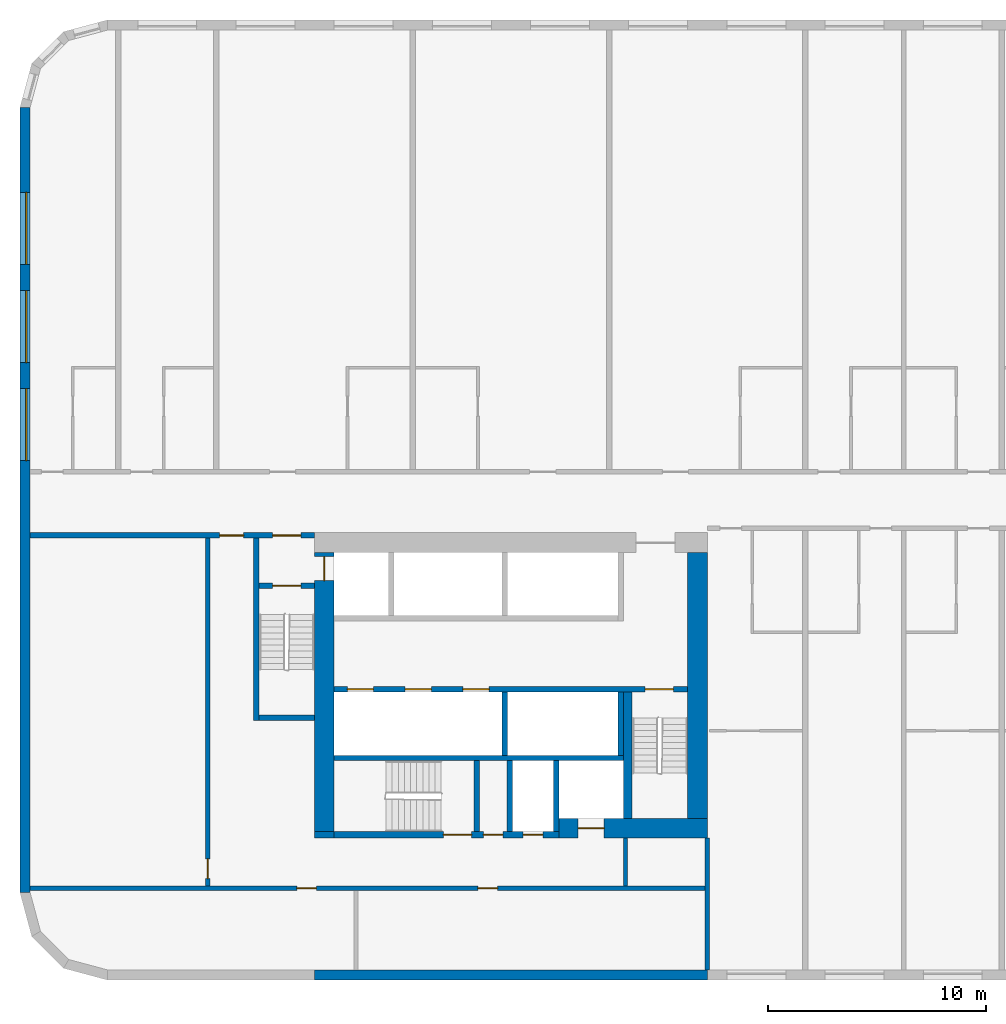
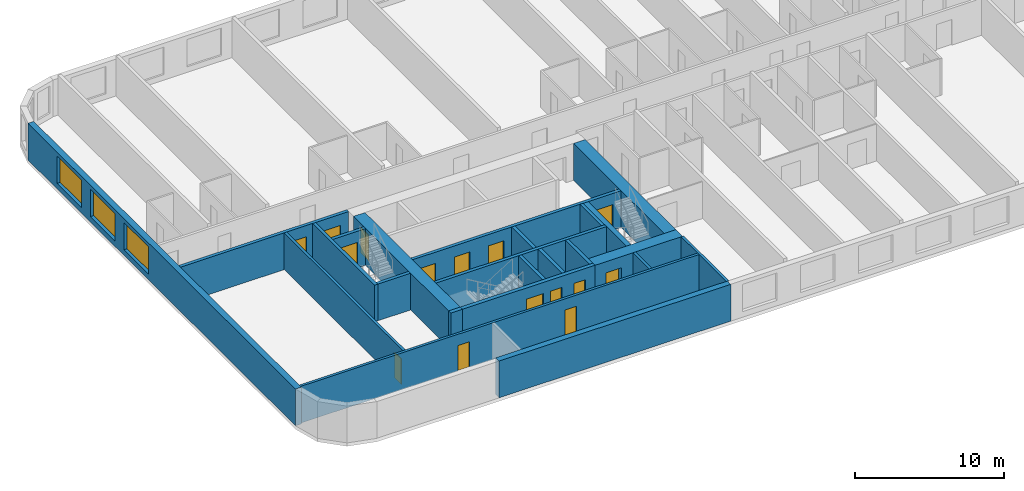
# One storey, part 2 of 12: 23 walls, 15 doors, 3 windows, 18 openings.
"""IFC4 building model written with IfcOpenShell, lengths in metres."""

import ifcopenshell
import ifcopenshell.guid

model = None  # the IFC model being written
_history = None  # IfcOwnerHistory: only IFC2X3 demands one
_inside = {}  # id of a spatial element -> (the spatial element, [elements in it])
_under = {}  # id of a project, library or spatial element -> (it, [spatial elements below it])
_declared = {}  # id of a project -> (the project, [libraries it declares])
_typed = {}  # id of a type object -> (the type object, [elements of that type])
_made_of = {}  # id of a material, layer set ... -> (it, [elements and type objects made of it])


def new_model(schema):
    """Start an empty IFC model of exactly this schema.

    Asked for "IFC4X3", IfcOpenShell would pick the latest addendum, in which some entities
    have other attributes; the version numbers below select the first issue.
    IFC2X3 requires an IfcOwnerHistory on every rooted entity: one is made here for all.
    """
    global model, _history
    if schema == "IFC4X3":
        model = ifcopenshell.file(schema_version=(4, 3, 0, 0))
    else:
        model = ifcopenshell.file(schema=schema)
    _inside.clear()
    _under.clear()
    _declared.clear()
    _typed.clear()
    _made_of.clear()
    _history = None
    if model.schema == "IFC2X3":
        org = make("IfcOrganization", Name="unknown")
        user = make(
            "IfcPersonAndOrganization",
            ThePerson=make("IfcPerson", FamilyName="unknown"),
            TheOrganization=org,
        )
        app = make(
            "IfcApplication",
            ApplicationDeveloper=org,
            Version="unknown",
            ApplicationFullName="unknown",
            ApplicationIdentifier="unknown",
        )
        _history = make(
            "IfcOwnerHistory",
            OwningUser=user,
            OwningApplication=app,
            ChangeAction="ADDED",
            CreationDate=0,
        )
    return model


def make(cls, **values):
    """One entity of the class cls with the attributes given. An attribute that is None is left unset."""
    return model.create_entity(
        cls, **{name: value for name, value in values.items() if value is not None}
    )


def rooted(cls, **values):
    """An entity with a GlobalId (a new one), such as an element, a storey or a relation."""
    return make(cls, GlobalId=ifcopenshell.guid.new(), OwnerHistory=_history, **values)


def si_unit(unit_type, name, prefix=None):
    """IfcSIUnit, for example si_unit("LENGTHUNIT", "METRE", prefix="MILLI")."""
    return make("IfcSIUnit", UnitType=unit_type, Prefix=prefix, Name=name)


def assignment(units):
    """IfcUnitAssignment: the units of a project."""
    return None if units is None else make("IfcUnitAssignment", Units=units)


def point(xyz):
    """IfcCartesianPoint."""
    return None if xyz is None else make("IfcCartesianPoint", Coordinates=xyz)


def direction(xyz):
    """IfcDirection."""
    return None if xyz is None else make("IfcDirection", DirectionRatios=xyz)


def frame(location, z_axis=None, x_axis=None):
    """IfcAxis2Placement3D, a coordinate frame: its origin and axes. An axis left out is left unset."""
    return make(
        "IfcAxis2Placement3D",
        Location=point(location),
        Axis=direction(z_axis),
        RefDirection=direction(x_axis),
    )


def frame_2d(location, x_axis=None):
    """IfcAxis2Placement2D, a coordinate frame in the plane: its origin and x axis."""
    return make(
        "IfcAxis2Placement2D", Location=point(location), RefDirection=direction(x_axis)
    )


def origin():
    """The frame at (0, 0, 0) with its axes left unset."""
    return frame((0.0, 0.0, 0.0))


def place(relative_to, where):
    """IfcLocalPlacement: puts the frame where relative to a parent placement (None: the world)."""
    return make(
        "IfcLocalPlacement", PlacementRelTo=relative_to, RelativePlacement=where
    )


def context(
    kind, dimensions, precision=None, world=None, true_north=None, identifier=None
):
    """IfcGeometricRepresentationContext, for example the 3D "Model" context."""
    return make(
        "IfcGeometricRepresentationContext",
        ContextIdentifier=identifier,
        ContextType=kind,
        CoordinateSpaceDimension=dimensions,
        Precision=precision,
        WorldCoordinateSystem=world,
        TrueNorth=true_north,
    )


def subcontext(parent, identifier, kind, view, scale=None):
    """IfcGeometricRepresentationSubContext, for example "Body" below "Model"."""
    return make(
        "IfcGeometricRepresentationSubContext",
        ContextIdentifier=identifier,
        ContextType=kind,
        ParentContext=parent,
        TargetScale=scale,
        TargetView=view,
    )


def project(units=None, contexts=None):
    """IfcProject with its units and contexts."""
    return rooted(
        "IfcProject",
        Name="project",
        RepresentationContexts=contexts,
        UnitsInContext=assignment(units),
    )


def spatial(cls, under=None, at=None, **own):
    """A site, building, storey or space (cls), placed at a placement, below another one or the project."""
    s = rooted(cls, ObjectPlacement=at, **own)
    if under is not None:
        _under.setdefault(under.id(), (under, []))[1].append(s)
    return s


def profile(cls, at=None, kind="AREA", **sizes):
    """A parametric profile (cls). Its sizes go by their IFC names, for example OverallWidth=200.0."""
    return make(cls, ProfileType=kind, Position=at, **sizes)


def rectangle(**sizes):
    """IfcRectangleProfileDef."""
    return profile("IfcRectangleProfileDef", **sizes)


def extrude(swept, where, along, depth):
    """IfcExtrudedAreaSolid: the profile swept, set in the frame where, extruded along a direction by depth."""
    return make(
        "IfcExtrudedAreaSolid",
        SweptArea=swept,
        Position=where,
        ExtrudedDirection=direction(along),
        Depth=depth,
    )


def shape(context_of_items, identifier, shape_type, items):
    """IfcShapeRepresentation: the items that make up one representation, for example the "Body"."""
    return make(
        "IfcShapeRepresentation",
        ContextOfItems=context_of_items,
        RepresentationIdentifier=identifier,
        RepresentationType=shape_type,
        Items=items,
    )


def material(Name=None, Category=None):
    """IfcMaterial."""
    return make("IfcMaterial", Name=Name, Category=Category)


def layer(
    of_material, thickness, ventilated=None, Name=None, Category=None, Priority=None
):
    """IfcMaterialLayer: one layer of a wall or slab, of a material (None: an air gap)."""
    return make(
        "IfcMaterialLayer",
        Material=of_material,
        LayerThickness=thickness,
        IsVentilated=ventilated,
        Name=Name,
        Category=Category,
        Priority=Priority,
    )


def layer_set(layers, Name=None):
    """IfcMaterialLayerSet."""
    return make("IfcMaterialLayerSet", MaterialLayers=layers, LayerSetName=Name)


def made_of(thing, what):
    """Note that an element or type object is made of a material, layer set ...; save() writes the relation."""
    if what is not None:
        _made_of.setdefault(what.id(), (what, []))[1].append(thing)
    return thing


def type_object(cls, material=None, **own):
    """A type object (cls), such as IfcWallType, which elements share."""
    return made_of(rooted(cls, **own), material)


def element(
    cls,
    number,
    at=None,
    inside=None,
    cuts=None,
    type_object=None,
    material=None,
    context=None,
    identifier="Body",
    shape_type=None,
    held_by="IfcProductDefinitionShape",
    body=None,
    shapes=None,
    **own,
):
    """One element of the class cls, such as IfcWall. Its Tag is "e" and its number.

    at: its placement. inside: the storey or other place that contains it. cuts: it is an
    opening in that element (IfcRelVoidsElement). A single representation is given by context,
    identifier, shape_type and body (its items); several are given by shapes. held_by: the class
    of the entity that holds the representations. save() writes the other relations.
    """
    e = rooted(cls, Tag="e%d" % number, ObjectPlacement=at, **own)
    if body is not None:
        shapes = [shape(context, identifier, shape_type, body)]
    if shapes is not None:
        e.Representation = make(held_by, Representations=shapes)
    if inside is not None:
        _inside.setdefault(inside.id(), (inside, []))[1].append(e)
    if cuts is not None:
        rooted(
            "IfcRelVoidsElement", RelatingBuildingElement=cuts, RelatedOpeningElement=e
        )
    if type_object is not None:
        _typed.setdefault(type_object.id(), (type_object, []))[1].append(e)
    return made_of(e, material)


def fill(opening, filler):
    """IfcRelFillsElement: the door or window that sits in an opening."""
    return rooted(
        "IfcRelFillsElement",
        RelatingOpeningElement=opening,
        RelatedBuildingElement=filler,
    )


def aggregate(whole, parts):
    """IfcRelAggregates: a whole, such as a stair, and the parts it consists of."""
    return rooted("IfcRelAggregates", RelatingObject=whole, RelatedObjects=parts)


def save(model, path):
    """Write the relations noted so far, then the file.

    IfcRelAggregates (storeys below a building ...), IfcRelContainedInSpatialStructure (elements
    in a storey), IfcRelDefinesByType, IfcRelAssociatesMaterial and IfcRelDeclares: one each for
    every whole, place, type object, material and project.
    """
    for whole, parts in _under.values():
        aggregate(whole, parts)
    for where, things in _inside.values():
        rooted(
            "IfcRelContainedInSpatialStructure",
            RelatedElements=things,
            RelatingStructure=where,
        )
    for kind, things in _typed.values():
        rooted("IfcRelDefinesByType", RelatedObjects=things, RelatingType=kind)
    for what, things in _made_of.values():
        rooted("IfcRelAssociatesMaterial", RelatedObjects=things, RelatingMaterial=what)
    for by, libraries in _declared.values():
        rooted("IfcRelDeclares", RelatingContext=by, RelatedDefinitions=libraries)
    model.write(path)


model = new_model("IFC4")

# Units and contexts
model_context = context("Model", 3, precision=1e-05, world=origin(), true_north=direction((0.0, 1.0)))
body_context = subcontext(model_context, "Body", "Model", "MODEL_VIEW")
ifc_project = project(units=[si_unit("LENGTHUNIT", "METRE"), si_unit("AREAUNIT", "SQUARE_METRE"), si_unit("VOLUMEUNIT", "CUBIC_METRE"), si_unit("PLANEANGLEUNIT", "RADIAN"), si_unit("MASSUNIT", "GRAM", prefix="KILO")], contexts=[model_context])

# Site, building, storey
site_placement = place(None, origin())
site = spatial("IfcSite", under=ifc_project, at=site_placement, CompositionType="ELEMENT")
building_placement = place(site_placement, origin())
building = spatial("IfcBuilding", under=site, at=building_placement, Name="Kajstack Hotel Tower", CompositionType="ELEMENT")
storey_placement = place(building_placement, frame((0.0, 0.0, 93.0)))
storey = spatial("IfcBuildingStorey", under=building, at=storey_placement, Name="L19", CompositionType="ELEMENT", Elevation=93.0)

# Wall, opening, door
ifc_material_1 = material(Name="Concrete C60/75", Category="concrete")
ifc_layer_1 = layer(ifc_material_1, 0.89990234375)
ifc_layer_set_1 = layer_set([ifc_layer_1], Name="Core wall 900")
wall_type_1 = type_object("IfcWallType", Name="Core wall 900", PredefinedType="SHEAR", material=ifc_layer_set_1)
wall_1_placement = place(storey_placement, frame((-20.300048828125, -15.050048828125, 0.0), z_axis=(0.0, 0.0, 1.0), x_axis=(1.0, 0.0, 0.0)))
wall_1 = element("IfcWall", 1, at=wall_1_placement, inside=storey, type_object=wall_type_1, Name="Core wall W RS", PredefinedType="SHEAR", context=body_context, shape_type="SweptSolid", body=[
    extrude(rectangle(XDim=6.800048828125, YDim=0.89990234375, at=frame_2d((3.39990234375, 0.0))), origin(), (0.0, 0.0, 1.0), 3.02001953125),
])
opening_1_placement = place(wall_1_placement, frame((0.875, 0.0, 0.0)))
opening_1 = element("IfcOpeningElement", 2, at=opening_1_placement, cuts=wall_1, Name="Opening LD-SV1", PredefinedType="OPENING", context=body_context, shape_type="SweptSolid", body=[
    extrude(rectangle(XDim=1.199951171875, YDim=2.10009765625, at=frame_2d((0.60009765625, 1.050048828125))), frame((0.0, 0.4599609375, 0.0), z_axis=(0.0, -1.0, 0.0), x_axis=(1.0, 0.0, 0.0)), (0.0, 0.0, 1.0), 0.919921875),
])
ifc_material_2 = material(Name="Stainless steel", Category="steel")
door_type_1 = type_object("IfcDoorType", Name="Lift landing door 1200", OperationType="SLIDING_TO_LEFT", PredefinedType="DOOR", material=ifc_material_2)
door_1_placement = place(opening_1_placement, origin())
door_1 = element("IfcDoor", 3, at=door_1_placement, inside=storey, type_object=door_type_1, Name="Landing door SV1", OperationType="SLIDING_TO_LEFT", OverallHeight=2.10009765625, OverallWidth=1.199951171875, PredefinedType="DOOR", context=body_context, shape_type="SweptSolid", body=[
    extrude(rectangle(XDim=1.199951171875, YDim=2.10009765625, at=frame_2d((0.60009765625, 1.050048828125))), frame((0.0, 0.02490234375, 0.0), z_axis=(0.0, -1.0, 0.0), x_axis=(1.0, 0.0, 0.0)), (0.0, 0.0, 1.0), 0.050048828125),
])
fill(opening_1, door_1)

# Wall
wall_2_placement = place(storey_placement, frame((-31.5, -15.35009765625, 0.0), z_axis=(0.0, 0.0, 1.0), x_axis=(1.0, 0.0, 0.0)))
element("IfcWall", 4, at=wall_2_placement, inside=storey, type_object=wall_type_1, Name="Core wall W RSW", PredefinedType="SHEAR", context=body_context, shape_type="SweptSolid", body=[
    extrude(rectangle(XDim=0.89990234375, YDim=0.300048828125, at=frame_2d((0.449951171875, 0.0))), origin(), (0.0, 0.0, 1.0), 3.02001953125),
])

# Wall, opening, door
wall_3_placement = place(storey_placement, frame((-31.050048828125, -15.199951171875, 0.0), z_axis=(0.0, 0.0, 1.0), x_axis=(0.0, 1.0, 0.0)))
wall_3 = element("IfcWall", 5, at=wall_3_placement, inside=storey, type_object=wall_type_1, Name="Core wall W RW", PredefinedType="SHEAR", context=body_context, shape_type="SweptSolid", body=[
    extrude(rectangle(XDim=12.800048828125, YDim=0.89990234375, at=frame_2d((6.39990234375, 0.0))), origin(), (0.0, 0.0, 1.0), 3.02001953125),
])
opening_2_placement = place(wall_3_placement, frame((11.5, 0.0, 0.0)))
opening_2 = element("IfcOpeningElement", 6, at=opening_2_placement, cuts=wall_3, Name="Opening LD-FF1", PredefinedType="OPENING", context=body_context, shape_type="SweptSolid", body=[
    extrude(rectangle(XDim=1.10009765625, YDim=2.10009765625, at=frame_2d((0.550048828125, 1.050048828125))), frame((0.0, 0.4599609375, 0.0), z_axis=(0.0, -1.0, 0.0), x_axis=(1.0, 0.0, 0.0)), (0.0, 0.0, 1.0), 0.919921875),
])
door_type_2 = type_object("IfcDoorType", Name="Fire-fighting lift landing door 1100", OperationType="SLIDING_TO_LEFT", PredefinedType="DOOR", material=ifc_material_2)
door_2_placement = place(opening_2_placement, origin())
door_2 = element("IfcDoor", 7, at=door_2_placement, inside=storey, type_object=door_type_2, Name="Landing door FF1", OperationType="SLIDING_TO_RIGHT", OverallHeight=2.10009765625, OverallWidth=1.10009765625, PredefinedType="DOOR", context=body_context, shape_type="SweptSolid", body=[
    extrude(rectangle(XDim=1.10009765625, YDim=2.10009765625, at=frame_2d((0.550048828125, 1.050048828125))), frame((0.0, 0.02490234375, 0.0), z_axis=(0.0, -1.0, 0.0), x_axis=(1.0, 0.0, 0.0)), (0.0, 0.0, 1.0), 0.050048828125),
])
fill(opening_2, door_2)

# Walls
wall_4_placement = place(storey_placement, frame((-13.949951171875, -14.60009765625, 0.0), z_axis=(0.0, 0.0, 1.0), x_axis=(0.0, 1.0, 0.0)))
element("IfcWall", 8, at=wall_4_placement, inside=storey, type_object=wall_type_1, Name="Core wall W RE", PredefinedType="SHEAR", context=body_context, shape_type="SweptSolid", body=[
    extrude(rectangle(XDim=12.2001953125, YDim=0.89990234375, at=frame_2d((6.10009765625, 0.0))), origin(), (0.0, 0.0, 1.0), 3.02001953125),
])
ifc_material_3 = material(Name="Twin-frame gypsum board on steel studs, mineral wool", Category="steel")
ifc_layer_2 = layer(ifc_material_3, 0.199951171875)
ifc_layer_set_2 = layer_set([ifc_layer_2], Name="Demising wall 200")
wall_type_2 = type_object("IfcWallType", Name="Demising wall 200", PredefinedType="PARTITIONING", material=ifc_layer_set_2)
wall_5_placement = place(storey_placement, frame((-13.5, -21.550048828125, 0.0), z_axis=(0.0, 0.0, 1.0), x_axis=(0.0, 1.0, 0.0)))
element("IfcWall", 9, at=wall_5_placement, inside=storey, type_object=wall_type_2, Name="G-wall-L19-002", PredefinedType="PARTITIONING", context=body_context, shape_type="SweptSolid", body=[
    extrude(rectangle(XDim=6.050048828125, YDim=0.199951171875, at=frame_2d((3.02490234375, 0.0))), origin(), (0.0, 0.0, 1.0), 3.02001953125),
])
ifc_material_4 = material(Name="Concrete C40/50", Category="concrete")
ifc_layer_3 = layer(ifc_material_4, 0.449951171875)
ifc_layer_set_3 = layer_set([ifc_layer_3], Name="EW-CORE")
wall_type_3 = type_object("IfcWallType", Name="EW-CORE", PredefinedType="SOLIDWALL", material=ifc_layer_set_3)
wall_6_placement = place(storey_placement, frame((-31.5, -21.77490234375, 0.0), z_axis=(0.0, 0.0, 1.0), x_axis=(1.0, 0.0, 0.0)))
element("IfcWall", 10, at=wall_6_placement, inside=storey, type_object=wall_type_3, Name="E-wall-L19-03-01", PredefinedType="SOLIDWALL", context=body_context, shape_type="SweptSolid", body=[
    extrude(rectangle(XDim=18.0, YDim=0.449951171875, at=frame_2d((9.0, 0.0))), origin(), (0.0, 0.0, 1.0), 3.02001953125),
])

# Wall, openings, windows
ifc_material_5 = material(Name="Terracotta-faced brick masonry", Category="masonry")
ifc_layer_4 = layer(ifc_material_5, 0.449951171875)
ifc_layer_set_4 = layer_set([ifc_layer_4], Name="EW-TERRA")
wall_type_4 = type_object("IfcWallType", Name="EW-TERRA", PredefinedType="SOLIDWALL", material=ifc_layer_set_4)
wall_7_placement = place(storey_placement, frame((-44.77490234375, 18.0, 0.0), z_axis=(0.0, 0.0, 1.0), x_axis=(0.0, -1.0, 0.0)))
wall_7 = element("IfcWall", 11, at=wall_7_placement, inside=storey, type_object=wall_type_4, Name="E-wall-L19-15-00", PredefinedType="SOLIDWALL", context=body_context, shape_type="SweptSolid", body=[
    extrude(rectangle(XDim=36.0, YDim=0.449951171875, at=frame_2d((18.0, 0.0))), origin(), (0.0, 0.0, 1.0), 3.02001953125),
])
opening_3_placement = place(wall_7_placement, frame((3.89990234375, 0.0, 0.449951171875)))
opening_3 = element("IfcOpeningElement", 12, at=opening_3_placement, cuts=wall_7, Name="Opening W2", PredefinedType="OPENING", context=body_context, shape_type="SweptSolid", body=[
    extrude(rectangle(XDim=3.300048828125, YDim=2.25, at=frame_2d((1.64990234375, 1.125))), frame((0.0, 0.23486328125, 0.0), z_axis=(0.0, -1.0, 0.0), x_axis=(1.0, 0.0, 0.0)), (0.0, 0.0, 1.0), 0.469970703125),
])
opening_4_placement = place(wall_7_placement, frame((8.39990234375, 0.0, 0.449951171875)))
opening_4 = element("IfcOpeningElement", 13, at=opening_4_placement, cuts=wall_7, Name="Opening W2", PredefinedType="OPENING", context=body_context, shape_type="SweptSolid", body=[
    extrude(rectangle(XDim=3.300048828125, YDim=2.25, at=frame_2d((1.64990234375, 1.125))), frame((0.0, 0.23486328125, 0.0), z_axis=(0.0, -1.0, 0.0), x_axis=(1.0, 0.0, 0.0)), (0.0, 0.0, 1.0), 0.469970703125),
])
opening_5_placement = place(wall_7_placement, frame((12.89990234375, 0.0, 0.449951171875)))
opening_5 = element("IfcOpeningElement", 14, at=opening_5_placement, cuts=wall_7, Name="Opening W2", PredefinedType="OPENING", context=body_context, shape_type="SweptSolid", body=[
    extrude(rectangle(XDim=3.300048828125, YDim=2.25, at=frame_2d((1.64990234375, 1.125))), frame((0.0, 0.23486328125, 0.0), z_axis=(0.0, -1.0, 0.0), x_axis=(1.0, 0.0, 0.0)), (0.0, 0.0, 1.0), 0.469970703125),
])
ifc_material_6 = material(Name="Timber-aluminium window, triple glazed", Category="wood")
window_type = type_object("IfcWindowType", Name="WG2", PartitioningType="SINGLE_PANEL", PredefinedType="WINDOW", material=ifc_material_6)
window_1_placement = place(opening_3_placement, origin())
window_1 = element("IfcWindow", 15, at=window_1_placement, inside=storey, type_object=window_type, Name="Window W2 L19-15", OverallHeight=2.25, OverallWidth=3.300048828125, PartitioningType="SINGLE_PANEL", PredefinedType="WINDOW", context=body_context, shape_type="SweptSolid", body=[
    extrude(rectangle(XDim=3.300048828125, YDim=2.25, at=frame_2d((1.64990234375, 1.125))), frame((0.0, 0.090087890625, 0.0), z_axis=(0.0, -1.0, 0.0), x_axis=(1.0, 0.0, 0.0)), (0.0, 0.0, 1.0), 0.06005859375),
])
fill(opening_3, window_1)
window_2_placement = place(opening_4_placement, origin())
window_2 = element("IfcWindow", 16, at=window_2_placement, inside=storey, type_object=window_type, Name="Window W2 L19-15", OverallHeight=2.25, OverallWidth=3.300048828125, PartitioningType="SINGLE_PANEL", PredefinedType="WINDOW", context=body_context, shape_type="SweptSolid", body=[
    extrude(rectangle(XDim=3.300048828125, YDim=2.25, at=frame_2d((1.64990234375, 1.125))), frame((0.0, 0.090087890625, 0.0), z_axis=(0.0, -1.0, 0.0), x_axis=(1.0, 0.0, 0.0)), (0.0, 0.0, 1.0), 0.06005859375),
])
fill(opening_4, window_2)
window_3_placement = place(opening_5_placement, origin())
window_3 = element("IfcWindow", 17, at=window_3_placement, inside=storey, type_object=window_type, Name="Window W2 L19-15", OverallHeight=2.25, OverallWidth=3.300048828125, PartitioningType="SINGLE_PANEL", PredefinedType="WINDOW", context=body_context, shape_type="SweptSolid", body=[
    extrude(rectangle(XDim=3.300048828125, YDim=2.25, at=frame_2d((1.64990234375, 1.125))), frame((0.0, 0.090087890625, 0.0), z_axis=(0.0, -1.0, 0.0), x_axis=(1.0, 0.0, 0.0)), (0.0, 0.0, 1.0), 0.06005859375),
])
fill(opening_5, window_3)

# Walls
ifc_material_7 = material(Name="Concrete C50/60", Category="concrete")
ifc_layer_5 = layer(ifc_material_7, 0.300048828125)
ifc_layer_set_5 = layer_set([ifc_layer_5], Name="Hoistway divider wall 300")
wall_type_5 = type_object("IfcWallType", Name="Hoistway divider wall 300", PredefinedType="SHEAR", material=ifc_layer_set_5)
wall_8_placement = place(storey_placement, frame((-22.77490234375, -11.699951171875, 0.0), z_axis=(0.0, 0.0, 1.0), x_axis=(0.0, 1.0, 0.0)))
element("IfcWall", 18, at=wall_8_placement, inside=storey, type_object=wall_type_5, Name="Core wall W BP2", PredefinedType="SHEAR", context=body_context, shape_type="SweptSolid", body=[
    extrude(rectangle(XDim=2.89990234375, YDim=0.25, at=frame_2d((1.449951171875, 0.0))), origin(), (0.0, 0.0, 1.0), 3.02001953125),
])
ifc_material_8 = material(Name="Concrete block masonry", Category="masonry")
ifc_layer_6 = layer(ifc_material_8, 0.25)
ifc_layer_set_6 = layer_set([ifc_layer_6], Name="Riser partition 250")
wall_type_6 = type_object("IfcWallType", Name="Riser partition 250", PredefinedType="PARTITIONING", material=ifc_layer_set_6)
wall_9_placement = place(storey_placement, frame((-22.550048828125, -15.199951171875, 0.0), z_axis=(0.0, 0.0, 1.0), x_axis=(0.0, 1.0, 0.0)))
element("IfcWall", 19, at=wall_9_placement, inside=storey, type_object=wall_type_6, Name="Partition W SZ0", PredefinedType="PARTITIONING", context=body_context, shape_type="SweptSolid", body=[
    extrude(rectangle(XDim=3.25, YDim=0.25, at=frame_2d((1.625, 0.0))), origin(), (0.0, 0.0, 1.0), 3.02001953125),
])

# Wall, openings, doors
ifc_material_9 = material(Name="Gypsum board on steel studs, mineral wool", Category="steel")
ifc_layer_7 = layer(ifc_material_9, 0.199951171875)
ifc_layer_set_7 = layer_set([ifc_layer_7], Name="Service partition 200")
wall_type_7 = type_object("IfcWallType", Name="Service partition 200", PredefinedType="PARTITIONING", material=ifc_layer_set_7)
wall_10_placement = place(storey_placement, frame((-44.550048828125, -1.625, 0.0), z_axis=(0.0, 0.0, 1.0), x_axis=(1.0, 0.0, 0.0)))
wall_10 = element("IfcWall", 20, at=wall_10_placement, inside=storey, type_object=wall_type_7, Name="Partition W SN", PredefinedType="PARTITIONING", context=body_context, shape_type="SweptSolid", body=[
    extrude(rectangle(XDim=13.050048828125, YDim=0.25, at=frame_2d((6.52490234375, 0.0))), origin(), (0.0, 0.0, 1.0), 3.02001953125),
])
opening_6_placement = place(wall_10_placement, frame((11.125, 0.0, 0.0)))
opening_6 = element("IfcOpeningElement", 21, at=opening_6_placement, cuts=wall_10, Name="Opening 19W07", PredefinedType="OPENING", context=body_context, shape_type="SweptSolid", body=[
    extrude(rectangle(XDim=1.300048828125, YDim=2.10009765625, at=frame_2d((0.64990234375, 1.050048828125))), frame((0.0, 0.135009765625, 0.0), z_axis=(0.0, -1.0, 0.0), x_axis=(1.0, 0.0, 0.0)), (0.0, 0.0, 1.0), 0.27001953125),
])
opening_7_placement = place(wall_10_placement, frame((8.699951171875, 0.0, 0.0)))
opening_7 = element("IfcOpeningElement", 22, at=opening_7_placement, cuts=wall_10, Name="Opening 19W09", PredefinedType="OPENING", context=body_context, shape_type="SweptSolid", body=[
    extrude(rectangle(XDim=1.10009765625, YDim=2.10009765625, at=frame_2d((0.550048828125, 1.050048828125))), frame((0.0, 0.135009765625, 0.0), z_axis=(0.0, -1.0, 0.0), x_axis=(1.0, 0.0, 0.0)), (0.0, 0.0, 1.0), 0.27001953125),
])
ifc_material_10 = material(Name="Steel leaf, fire-rated", Category="steel")
door_type_3 = type_object("IfcDoorType", Name="Fire lobby door 1300", OperationType="SINGLE_SWING_LEFT", PredefinedType="DOOR", material=ifc_material_10)
door_3_placement = place(opening_6_placement, origin())
door_3 = element("IfcDoor", 23, at=door_3_placement, inside=storey, type_object=door_type_3, Name="Door 19W07", OperationType="SINGLE_SWING_RIGHT", OverallHeight=2.10009765625, OverallWidth=1.300048828125, PredefinedType="DOOR", context=body_context, shape_type="SweptSolid", body=[
    extrude(rectangle(XDim=1.300048828125, YDim=2.10009765625, at=frame_2d((0.64990234375, 1.050048828125))), frame((0.0, 0.02490234375, 0.0), z_axis=(0.0, -1.0, 0.0), x_axis=(1.0, 0.0, 0.0)), (0.0, 0.0, 1.0), 0.050048828125),
])
fill(opening_6, door_3)
ifc_material_11 = material(Name="Timber leaf, fire-rated", Category="wood")
door_type_4 = type_object("IfcDoorType", Name="Service corridor door 1100", OperationType="SINGLE_SWING_LEFT", PredefinedType="DOOR", material=ifc_material_11)
door_4_placement = place(opening_7_placement, origin())
door_4 = element("IfcDoor", 24, at=door_4_placement, inside=storey, type_object=door_type_4, Name="Door 19W09", OperationType="SINGLE_SWING_RIGHT", OverallHeight=2.10009765625, OverallWidth=1.10009765625, PredefinedType="DOOR", context=body_context, shape_type="SweptSolid", body=[
    extrude(rectangle(XDim=1.10009765625, YDim=2.10009765625, at=frame_2d((0.550048828125, 1.050048828125))), frame((0.0, 0.02490234375, 0.0), z_axis=(0.0, -1.0, 0.0), x_axis=(1.0, 0.0, 0.0)), (0.0, 0.0, 1.0), 0.050048828125),
])
fill(opening_7, door_4)

# Wall
wall_11_placement = place(storey_placement, frame((-17.25, -17.699951171875, 0.0), z_axis=(0.0, 0.0, 1.0), x_axis=(0.0, 1.0, 0.0)))
element("IfcWall", 25, at=wall_11_placement, inside=storey, type_object=wall_type_7, Name="Partition W SCE", PredefinedType="PARTITIONING", context=body_context, shape_type="SweptSolid", body=[
    extrude(rectangle(XDim=2.199951171875, YDim=0.199951171875, at=frame_2d((1.10009765625, 0.0))), origin(), (0.0, 0.0, 1.0), 3.02001953125),
])

# Wall, opening, door
wall_12_placement = place(storey_placement, frame((-36.39990234375, -17.699951171875, 0.0), z_axis=(0.0, 0.0, 1.0), x_axis=(0.0, 1.0, 0.0)))
wall_12 = element("IfcWall", 26, at=wall_12_placement, inside=storey, type_object=wall_type_7, Name="Partition W WRE", PredefinedType="PARTITIONING", context=body_context, shape_type="SweptSolid", body=[
    extrude(rectangle(XDim=15.949951171875, YDim=0.199951171875, at=frame_2d((7.97509765625, 0.0))), origin(), (0.0, 0.0, 1.0), 3.02001953125),
])
opening_8_placement = place(wall_12_placement, frame((0.35009765625, 0.0, 0.0)))
opening_8 = element("IfcOpeningElement", 27, at=opening_8_placement, cuts=wall_12, Name="Opening 19W16", PredefinedType="OPENING", context=body_context, shape_type="SweptSolid", body=[
    extrude(rectangle(XDim=0.89990234375, YDim=2.10009765625, at=frame_2d((0.449951171875, 1.050048828125))), frame((0.0, 0.10986328125, 0.0), z_axis=(0.0, -1.0, 0.0), x_axis=(1.0, 0.0, 0.0)), (0.0, 0.0, 1.0), 0.219970703125),
])
door_type_5 = type_object("IfcDoorType", Name="Service door 900", OperationType="SINGLE_SWING_LEFT", PredefinedType="DOOR", material=ifc_material_11)
door_5_placement = place(opening_8_placement, origin())
door_5 = element("IfcDoor", 28, at=door_5_placement, inside=storey, type_object=door_type_5, Name="Door 19W16", OperationType="SINGLE_SWING_LEFT", OverallHeight=2.10009765625, OverallWidth=0.89990234375, PredefinedType="DOOR", context=body_context, shape_type="SweptSolid", body=[
    extrude(rectangle(XDim=0.89990234375, YDim=2.10009765625, at=frame_2d((0.449951171875, 1.050048828125))), frame((0.0, 0.02490234375, 0.0), z_axis=(0.0, -1.0, 0.0), x_axis=(1.0, 0.0, 0.0)), (0.0, 0.0, 1.0), 0.050048828125),
])
fill(opening_8, door_5)

# Wall, openings, doors
wall_13_placement = place(storey_placement, frame((-44.550048828125, -17.800048828125, 0.0), z_axis=(0.0, 0.0, 1.0), x_axis=(1.0, 0.0, 0.0)))
wall_13 = element("IfcWall", 29, at=wall_13_placement, inside=storey, type_object=wall_type_7, Name="Partition W SLN", PredefinedType="PARTITIONING", context=body_context, shape_type="SweptSolid", body=[
    extrude(rectangle(XDim=30.949951171875, YDim=0.199951171875, at=frame_2d((15.47509765625, 0.0))), origin(), (0.0, 0.0, 1.0), 3.02001953125),
])
opening_9_placement = place(wall_13_placement, frame((12.237548828125, 0.0, 0.0)))
opening_9 = element("IfcOpeningElement", 30, at=opening_9_placement, cuts=wall_13, Name="Opening 19W14", PredefinedType="OPENING", context=body_context, shape_type="SweptSolid", body=[
    extrude(rectangle(XDim=0.89990234375, YDim=2.10009765625, at=frame_2d((0.449951171875, 1.050048828125))), frame((0.0, 0.10986328125, 0.0), z_axis=(0.0, -1.0, 0.0), x_axis=(1.0, 0.0, 0.0)), (0.0, 0.0, 1.0), 0.219970703125),
])
opening_10_placement = place(wall_13_placement, frame((20.53759765625, 0.0, 0.0)))
opening_10 = element("IfcOpeningElement", 31, at=opening_10_placement, cuts=wall_13, Name="Opening 19W15", PredefinedType="OPENING", context=body_context, shape_type="SweptSolid", body=[
    extrude(rectangle(XDim=0.89990234375, YDim=2.10009765625, at=frame_2d((0.449951171875, 1.050048828125))), frame((0.0, 0.10986328125, 0.0), z_axis=(0.0, -1.0, 0.0), x_axis=(1.0, 0.0, 0.0)), (0.0, 0.0, 1.0), 0.219970703125),
])
door_6_placement = place(opening_9_placement, origin())
door_6 = element("IfcDoor", 32, at=door_6_placement, inside=storey, type_object=door_type_5, Name="Door 19W14", OperationType="SINGLE_SWING_RIGHT", OverallHeight=2.10009765625, OverallWidth=0.89990234375, PredefinedType="DOOR", context=body_context, shape_type="SweptSolid", body=[
    extrude(rectangle(XDim=0.89990234375, YDim=2.10009765625, at=frame_2d((0.449951171875, 1.050048828125))), frame((0.0, 0.02490234375, 0.0), z_axis=(0.0, -1.0, 0.0), x_axis=(1.0, 0.0, 0.0)), (0.0, 0.0, 1.0), 0.050048828125),
])
fill(opening_9, door_6)
door_7_placement = place(opening_10_placement, origin())
door_7 = element("IfcDoor", 33, at=door_7_placement, inside=storey, type_object=door_type_5, Name="Door 19W15", OperationType="SINGLE_SWING_RIGHT", OverallHeight=2.10009765625, OverallWidth=0.89990234375, PredefinedType="DOOR", context=body_context, shape_type="SweptSolid", body=[
    extrude(rectangle(XDim=0.89990234375, YDim=2.10009765625, at=frame_2d((0.449951171875, 1.050048828125))), frame((0.0, 0.02490234375, 0.0), z_axis=(0.0, -1.0, 0.0), x_axis=(1.0, 0.0, 0.0)), (0.0, 0.0, 1.0), 0.050048828125),
])
fill(opening_10, door_7)

ifc_layer_8 = layer(ifc_material_7, 0.25)
ifc_layer_set_8 = layer_set([ifc_layer_8], Name="Shaft wall 250")
wall_type_8 = type_object("IfcWallType", Name="Shaft wall 250", PredefinedType="SHEAR", material=ifc_layer_set_8)
wall_14_placement = place(storey_placement, frame((-30.60009765625, -15.35009765625, 0.0), z_axis=(0.0, 0.0, 1.0), x_axis=(1.0, 0.0, 0.0)))
wall_14 = element("IfcWall", 34, at=wall_14_placement, inside=storey, type_object=wall_type_8, Name="Core wall W RSS", PredefinedType="SHEAR", context=body_context, shape_type="SweptSolid", body=[
    extrude(rectangle(XDim=10.300048828125, YDim=0.300048828125, at=frame_2d((5.14990234375, 0.0))), origin(), (0.0, 0.0, 1.0), 3.02001953125),
])
opening_11_placement = place(wall_14_placement, frame((5.0, 0.0, 0.0)))
opening_11 = element("IfcOpeningElement", 35, at=opening_11_placement, cuts=wall_14, Name="Opening 19W11", PredefinedType="OPENING", context=body_context, shape_type="SweptSolid", body=[
    extrude(rectangle(XDim=1.300048828125, YDim=2.10009765625, at=frame_2d((0.64990234375, 1.050048828125))), frame((0.0, 0.159912109375, 0.0), z_axis=(0.0, -1.0, 0.0), x_axis=(1.0, 0.0, 0.0)), (0.0, 0.0, 1.0), 0.320068359375),
])
opening_12_placement = place(wall_14_placement, frame((6.83740234375, 0.0, 0.0)))
opening_12 = element("IfcOpeningElement", 36, at=opening_12_placement, cuts=wall_14, Name="Opening 19W12", PredefinedType="OPENING", context=body_context, shape_type="SweptSolid", body=[
    extrude(rectangle(XDim=0.89990234375, YDim=2.10009765625, at=frame_2d((0.449951171875, 1.050048828125))), frame((0.0, 0.159912109375, 0.0), z_axis=(0.0, -1.0, 0.0), x_axis=(1.0, 0.0, 0.0)), (0.0, 0.0, 1.0), 0.320068359375),
])
opening_13_placement = place(wall_14_placement, frame((8.66259765625, 0.0, 0.0)))
opening_13 = element("IfcOpeningElement", 37, at=opening_13_placement, cuts=wall_14, Name="Opening 19W13", PredefinedType="OPENING", context=body_context, shape_type="SweptSolid", body=[
    extrude(rectangle(XDim=0.89990234375, YDim=2.10009765625, at=frame_2d((0.449951171875, 1.050048828125))), frame((0.0, 0.159912109375, 0.0), z_axis=(0.0, -1.0, 0.0), x_axis=(1.0, 0.0, 0.0)), (0.0, 0.0, 1.0), 0.320068359375),
])
door_type_6 = type_object("IfcDoorType", Name="Riser door 900", OperationType="SINGLE_SWING_LEFT", PredefinedType="DOOR", material=ifc_material_10)
door_8_placement = place(opening_13_placement, origin())
door_8 = element("IfcDoor", 38, at=door_8_placement, inside=storey, type_object=door_type_6, Name="Door 19W13", OperationType="SINGLE_SWING_LEFT", OverallHeight=2.10009765625, OverallWidth=0.89990234375, PredefinedType="DOOR", context=body_context, shape_type="SweptSolid", body=[
    extrude(rectangle(XDim=0.89990234375, YDim=2.10009765625, at=frame_2d((0.449951171875, 1.050048828125))), frame((0.0, 0.02490234375, 0.0), z_axis=(0.0, -1.0, 0.0), x_axis=(1.0, 0.0, 0.0)), (0.0, 0.0, 1.0), 0.050048828125),
])
fill(opening_13, door_8)
door_9_placement = place(opening_12_placement, origin())
door_9 = element("IfcDoor", 39, at=door_9_placement, inside=storey, type_object=door_type_5, Name="Door 19W12", OperationType="SINGLE_SWING_LEFT", OverallHeight=2.10009765625, OverallWidth=0.89990234375, PredefinedType="DOOR", context=body_context, shape_type="SweptSolid", body=[
    extrude(rectangle(XDim=0.89990234375, YDim=2.10009765625, at=frame_2d((0.449951171875, 1.050048828125))), frame((0.0, 0.02490234375, 0.0), z_axis=(0.0, -1.0, 0.0), x_axis=(1.0, 0.0, 0.0)), (0.0, 0.0, 1.0), 0.050048828125),
])
fill(opening_12, door_9)
door_type_7 = type_object("IfcDoorType", Name="Stair door 1300", OperationType="SINGLE_SWING_LEFT", PredefinedType="DOOR", material=ifc_material_10)
door_10_placement = place(opening_11_placement, origin())
door_10 = element("IfcDoor", 40, at=door_10_placement, inside=storey, type_object=door_type_7, Name="Door 19W11", OperationType="SINGLE_SWING_RIGHT", OverallHeight=2.10009765625, OverallWidth=1.300048828125, PredefinedType="DOOR", context=body_context, shape_type="SweptSolid", body=[
    extrude(rectangle(XDim=1.300048828125, YDim=2.10009765625, at=frame_2d((0.64990234375, 1.050048828125))), frame((0.0, 0.02490234375, 0.0), z_axis=(0.0, -1.0, 0.0), x_axis=(1.0, 0.0, 0.0)), (0.0, 0.0, 1.0), 0.050048828125),
])
fill(opening_11, door_10)

wall_15_placement = place(storey_placement, frame((-30.60009765625, -8.675048828125, 0.0), z_axis=(0.0, 0.0, 1.0), x_axis=(1.0, 0.0, 0.0)))
wall_15 = element("IfcWall", 41, at=wall_15_placement, inside=storey, type_object=wall_type_8, Name="Core wall W FB", PredefinedType="SHEAR", context=body_context, shape_type="SweptSolid", body=[
    extrude(rectangle(XDim=16.2001953125, YDim=0.25, at=frame_2d((8.10009765625, 0.0))), origin(), (0.0, 0.0, 1.0), 3.02001953125),
])
opening_14_placement = place(wall_15_placement, frame((0.60009765625, 0.0, 0.0)))
opening_14 = element("IfcOpeningElement", 42, at=opening_14_placement, cuts=wall_15, Name="Opening LD-LR1", PredefinedType="OPENING", context=body_context, shape_type="SweptSolid", body=[
    extrude(rectangle(XDim=1.199951171875, YDim=2.10009765625, at=frame_2d((0.60009765625, 1.050048828125))), frame((0.0, 0.135009765625, 0.0), z_axis=(0.0, -1.0, 0.0), x_axis=(1.0, 0.0, 0.0)), (0.0, 0.0, 1.0), 0.27001953125),
])
opening_15_placement = place(wall_15_placement, frame((3.25, 0.0, 0.0)))
opening_15 = element("IfcOpeningElement", 43, at=opening_15_placement, cuts=wall_15, Name="Opening LD-LR2", PredefinedType="OPENING", context=body_context, shape_type="SweptSolid", body=[
    extrude(rectangle(XDim=1.199951171875, YDim=2.10009765625, at=frame_2d((0.60009765625, 1.050048828125))), frame((0.0, 0.135009765625, 0.0), z_axis=(0.0, -1.0, 0.0), x_axis=(1.0, 0.0, 0.0)), (0.0, 0.0, 1.0), 0.27001953125),
])
opening_16_placement = place(wall_15_placement, frame((5.89990234375, 0.0, 0.0)))
opening_16 = element("IfcOpeningElement", 44, at=opening_16_placement, cuts=wall_15, Name="Opening LD-LR3", PredefinedType="OPENING", context=body_context, shape_type="SweptSolid", body=[
    extrude(rectangle(XDim=1.199951171875, YDim=2.10009765625, at=frame_2d((0.60009765625, 1.050048828125))), frame((0.0, 0.135009765625, 0.0), z_axis=(0.0, -1.0, 0.0), x_axis=(1.0, 0.0, 0.0)), (0.0, 0.0, 1.0), 0.27001953125),
])
opening_17_placement = place(wall_15_placement, frame((14.25, 0.0, 0.0)))
opening_17 = element("IfcOpeningElement", 45, at=opening_17_placement, cuts=wall_15, Name="Opening 19W10", PredefinedType="OPENING", context=body_context, shape_type="SweptSolid", body=[
    extrude(rectangle(XDim=1.300048828125, YDim=2.10009765625, at=frame_2d((0.64990234375, 1.050048828125))), frame((0.0, 0.135009765625, 0.0), z_axis=(0.0, -1.0, 0.0), x_axis=(1.0, 0.0, 0.0)), (0.0, 0.0, 1.0), 0.27001953125),
])
door_11_placement = place(opening_14_placement, origin())
door_11 = element("IfcDoor", 46, at=door_11_placement, inside=storey, type_object=door_type_1, Name="Landing door LR1", OperationType="SLIDING_TO_LEFT", OverallHeight=2.10009765625, OverallWidth=1.199951171875, PredefinedType="DOOR", context=body_context, shape_type="SweptSolid", body=[
    extrude(rectangle(XDim=1.199951171875, YDim=2.10009765625, at=frame_2d((0.60009765625, 1.050048828125))), frame((0.0, 0.02490234375, 0.0), z_axis=(0.0, -1.0, 0.0), x_axis=(1.0, 0.0, 0.0)), (0.0, 0.0, 1.0), 0.050048828125),
])
fill(opening_14, door_11)
door_12_placement = place(opening_15_placement, origin())
door_12 = element("IfcDoor", 47, at=door_12_placement, inside=storey, type_object=door_type_1, Name="Landing door LR2", OperationType="SLIDING_TO_RIGHT", OverallHeight=2.10009765625, OverallWidth=1.199951171875, PredefinedType="DOOR", context=body_context, shape_type="SweptSolid", body=[
    extrude(rectangle(XDim=1.199951171875, YDim=2.10009765625, at=frame_2d((0.60009765625, 1.050048828125))), frame((0.0, 0.02490234375, 0.0), z_axis=(0.0, -1.0, 0.0), x_axis=(1.0, 0.0, 0.0)), (0.0, 0.0, 1.0), 0.050048828125),
])
fill(opening_15, door_12)
door_13_placement = place(opening_16_placement, origin())
door_13 = element("IfcDoor", 48, at=door_13_placement, inside=storey, type_object=door_type_1, Name="Landing door LR3", OperationType="SLIDING_TO_RIGHT", OverallHeight=2.10009765625, OverallWidth=1.199951171875, PredefinedType="DOOR", context=body_context, shape_type="SweptSolid", body=[
    extrude(rectangle(XDim=1.199951171875, YDim=2.10009765625, at=frame_2d((0.60009765625, 1.050048828125))), frame((0.0, 0.02490234375, 0.0), z_axis=(0.0, -1.0, 0.0), x_axis=(1.0, 0.0, 0.0)), (0.0, 0.0, 1.0), 0.050048828125),
])
fill(opening_16, door_13)
door_14_placement = place(opening_17_placement, origin())
door_14 = element("IfcDoor", 49, at=door_14_placement, inside=storey, type_object=door_type_7, Name="Door 19W10", OperationType="SINGLE_SWING_RIGHT", OverallHeight=2.10009765625, OverallWidth=1.300048828125, PredefinedType="DOOR", context=body_context, shape_type="SweptSolid", body=[
    extrude(rectangle(XDim=1.300048828125, YDim=2.10009765625, at=frame_2d((0.64990234375, 1.050048828125))), frame((0.0, 0.02490234375, 0.0), z_axis=(0.0, -1.0, 0.0), x_axis=(1.0, 0.0, 0.0)), (0.0, 0.0, 1.0), 0.050048828125),
])
fill(opening_17, door_14)

# Walls
wall_16_placement = place(storey_placement, frame((-30.60009765625, -11.824951171875, 0.0), z_axis=(0.0, 0.0, 1.0), x_axis=(1.0, 0.0, 0.0)))
element("IfcWall", 50, at=wall_16_placement, inside=storey, type_object=wall_type_8, Name="Core wall W RB", PredefinedType="SHEAR", context=body_context, shape_type="SweptSolid", body=[
    extrude(rectangle(XDim=13.25, YDim=0.25, at=frame_2d((6.625, 0.0))), origin(), (0.0, 0.0, 1.0), 3.02001953125),
])
wall_17_placement = place(storey_placement, frame((-17.47509765625, -11.699951171875, 0.0), z_axis=(0.0, 0.0, 1.0), x_axis=(0.0, 1.0, 0.0)))
element("IfcWall", 51, at=wall_17_placement, inside=storey, type_object=wall_type_8, Name="Core wall W BE", PredefinedType="SHEAR", context=body_context, shape_type="SweptSolid", body=[
    extrude(rectangle(XDim=2.89990234375, YDim=0.25, at=frame_2d((1.449951171875, 0.0))), origin(), (0.0, 0.0, 1.0), 3.02001953125),
])
wall_18_placement = place(storey_placement, frame((-20.425048828125, -15.199951171875, 0.0), z_axis=(0.0, 0.0, 1.0), x_axis=(0.0, 1.0, 0.0)))
element("IfcWall", 52, at=wall_18_placement, inside=storey, type_object=wall_type_8, Name="Core wall W SVW", PredefinedType="SHEAR", context=body_context, shape_type="SweptSolid", body=[
    extrude(rectangle(XDim=3.25, YDim=0.25, at=frame_2d((1.625, 0.0))), origin(), (0.0, 0.0, 1.0), 3.02001953125),
])

# Wall, opening, door
ifc_layer_9 = layer(ifc_material_4, 0.25)
ifc_layer_set_9 = layer_set([ifc_layer_9], Name="Stair enclosure wall 250")
wall_type_9 = type_object("IfcWallType", Name="Stair enclosure wall 250", PredefinedType="SHEAR", material=ifc_layer_set_9)
wall_19_placement = place(storey_placement, frame((-34.050048828125, -3.925048828125, 0.0), z_axis=(0.0, 0.0, 1.0), x_axis=(1.0, 0.0, 0.0)))
wall_19 = element("IfcWall", 53, at=wall_19_placement, inside=storey, type_object=wall_type_9, Name="Core wall W W1N", PredefinedType="SHEAR", context=body_context, shape_type="SweptSolid", body=[
    extrude(rectangle(XDim=2.550048828125, YDim=0.25, at=frame_2d((1.27490234375, 0.0))), origin(), (0.0, 0.0, 1.0), 3.02001953125),
])
opening_18_placement = place(wall_19_placement, frame((0.625, 0.0, 0.0)))
opening_18 = element("IfcOpeningElement", 54, at=opening_18_placement, cuts=wall_19, Name="Opening 19W08", PredefinedType="OPENING", context=body_context, shape_type="SweptSolid", body=[
    extrude(rectangle(XDim=1.300048828125, YDim=2.10009765625, at=frame_2d((0.64990234375, 1.050048828125))), frame((0.0, 0.135009765625, 0.0), z_axis=(0.0, -1.0, 0.0), x_axis=(1.0, 0.0, 0.0)), (0.0, 0.0, 1.0), 0.27001953125),
])
door_15_placement = place(opening_18_placement, origin())
door_15 = element("IfcDoor", 55, at=door_15_placement, inside=storey, type_object=door_type_7, Name="Door 19W08", OperationType="SINGLE_SWING_RIGHT", OverallHeight=2.10009765625, OverallWidth=1.300048828125, PredefinedType="DOOR", context=body_context, shape_type="SweptSolid", body=[
    extrude(rectangle(XDim=1.300048828125, YDim=2.10009765625, at=frame_2d((0.64990234375, 1.050048828125))), frame((0.0, 0.02490234375, 0.0), z_axis=(0.0, -1.0, 0.0), x_axis=(1.0, 0.0, 0.0)), (0.0, 0.0, 1.0), 0.050048828125),
])
fill(opening_18, door_15)

# Walls
wall_20_placement = place(storey_placement, frame((-34.175048828125, -10.10009765625, 0.0), z_axis=(0.0, 0.0, 1.0), x_axis=(0.0, 1.0, 0.0)))
element("IfcWall", 56, at=wall_20_placement, inside=storey, type_object=wall_type_9, Name="Core wall W W1W", PredefinedType="SHEAR", context=body_context, shape_type="SweptSolid", body=[
    extrude(rectangle(XDim=8.35009765625, YDim=0.25, at=frame_2d((4.175048828125, 0.0))), origin(), (0.0, 0.0, 1.0), 3.02001953125),
])
wall_21_placement = place(storey_placement, frame((-34.050048828125, -9.97509765625, 0.0), z_axis=(0.0, 0.0, 1.0), x_axis=(1.0, 0.0, 0.0)))
element("IfcWall", 57, at=wall_21_placement, inside=storey, type_object=wall_type_9, Name="Core wall W W1S", PredefinedType="SHEAR", context=body_context, shape_type="SweptSolid", body=[
    extrude(rectangle(XDim=2.550048828125, YDim=0.25, at=frame_2d((1.27490234375, 0.0))), origin(), (0.0, 0.0, 1.0), 3.02001953125),
])
ifc_layer_10 = layer(ifc_material_7, 0.35009765625)
ifc_layer_set_10 = layer_set([ifc_layer_10], Name="Stair enclosure wall 350")
wall_type_10 = type_object("IfcWallType", Name="Stair enclosure wall 350", PredefinedType="SHEAR", material=ifc_layer_set_10)
wall_22_placement = place(storey_placement, frame((-24.074951171875, -15.199951171875, 0.0), z_axis=(0.0, 0.0, 1.0), x_axis=(0.0, 1.0, 0.0)))
element("IfcWall", 58, at=wall_22_placement, inside=storey, type_object=wall_type_10, Name="Core wall W W3E", PredefinedType="SHEAR", context=body_context, shape_type="SweptSolid", body=[
    extrude(rectangle(XDim=3.25, YDim=0.25, at=frame_2d((1.625, 0.0))), origin(), (0.0, 0.0, 1.0), 3.02001953125),
])
ifc_layer_11 = layer(ifc_material_7, 0.39990234375)
ifc_layer_set_11 = layer_set([ifc_layer_11], Name="Stair wall 400")
wall_type_11 = type_object("IfcWallType", Name="Stair wall 400", PredefinedType="SHEAR", material=ifc_layer_set_11)
wall_23_placement = place(storey_placement, frame((-17.14990234375, -14.60009765625, 0.0), z_axis=(0.0, 0.0, 1.0), x_axis=(0.0, 1.0, 0.0)))
element("IfcWall", 59, at=wall_23_placement, inside=storey, type_object=wall_type_11, Name="Core wall W WW2", PredefinedType="SHEAR", context=body_context, shape_type="SweptSolid", body=[
    extrude(rectangle(XDim=5.800048828125, YDim=0.39990234375, at=frame_2d((2.89990234375, 0.0))), origin(), (0.0, 0.0, 1.0), 3.02001953125),
])

save(model, "model.ifc")
